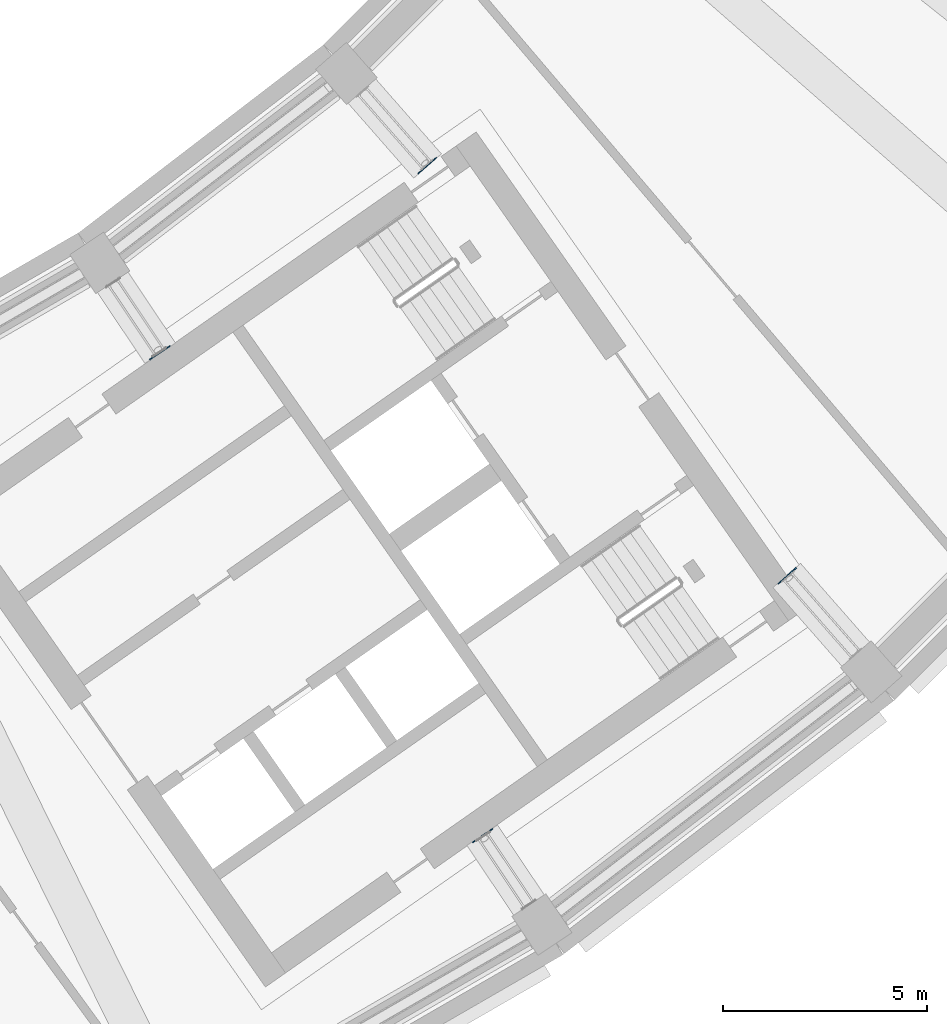
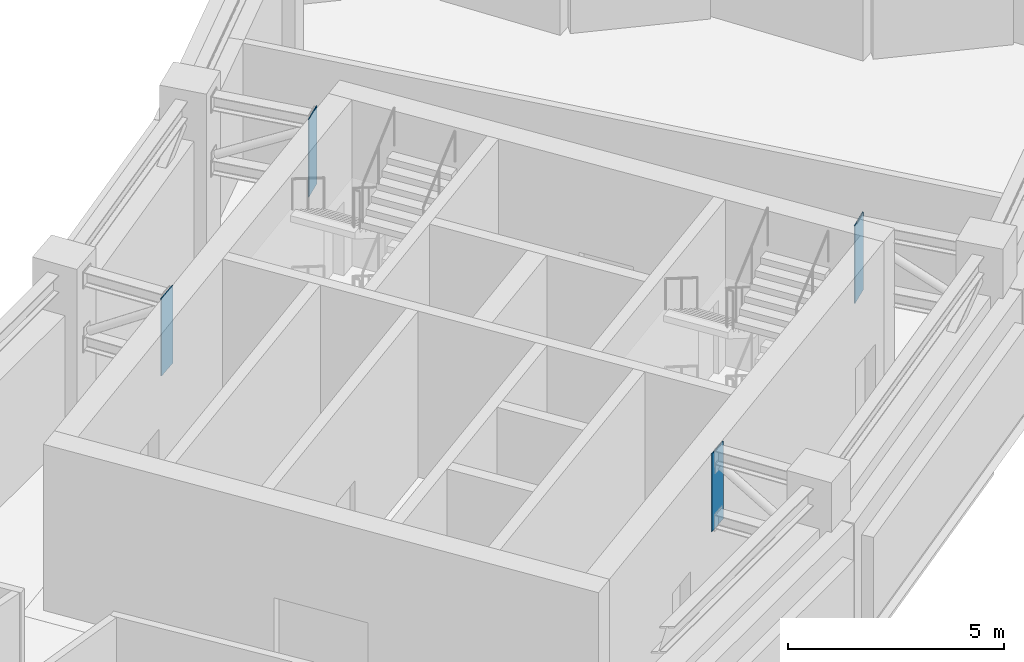
# One storey, part 10 of 24: 4 discrete accessories.
"""IFC4 building model written with IfcOpenShell, lengths in metres."""

from ifc_helpers import new_model, si_unit, direction, frame, origin, origin_2d, place, context, subcontext, project, spatial, rectangle, extrude, material, layer, layer_set, type_object, element, save


model = new_model("IFC4")

# Units and contexts
model_context = context("Model", 3, precision=1e-05, world=origin(), true_north=direction((0.0, 1.0)))
body_context = subcontext(model_context, "Body", "Model", "MODEL_VIEW")
ifc_project = project(units=[si_unit("LENGTHUNIT", "METRE"), si_unit("AREAUNIT", "SQUARE_METRE"), si_unit("VOLUMEUNIT", "CUBIC_METRE"), si_unit("PLANEANGLEUNIT", "RADIAN"), si_unit("MASSUNIT", "GRAM", prefix="KILO")], contexts=[model_context])

# Site, building, storey
site_placement = place(None, origin())
site = spatial("IfcSite", under=ifc_project, at=site_placement, CompositionType="ELEMENT")
building_placement = place(site_placement, origin())
building = spatial("IfcBuilding", under=site, at=building_placement, Name="Qamariyya Broadcast Tower", CompositionType="ELEMENT")
storey_placement = place(building_placement, frame((0.0, 0.0, 253.10009765625)))
storey = spatial("IfcBuildingStorey", under=building, at=storey_placement, Name="L61", CompositionType="ELEMENT", Elevation=253.10009765625)

# Discrete accessories
ifc_material = material(Name="Steel S355", Category="steel")
ifc_layer = layer(ifc_material, 0.02490234375)
ifc_layer_set = layer_set([ifc_layer], Name="Cast-in plate 25 Steel S355")
discrete_accessory_type = type_object("IfcDiscreteAccessoryType", Name="Cast-in plate 25 Steel S355", PredefinedType="ANCHORPLATE", material=ifc_layer_set)
for number, where, z_axis, x_axis, name in (
    (1, (33.83544921875, -50.63818359375, 2.5), (0.0, 0.0, 1.0), (-0.831469612303, -0.55557023302, 0.0), "Cast-in plate CP1 L61 R15"),
    (2, (41.740234375, -62.468505859375, 2.5), (0.0, 0.0, 1.0), (-0.831469612303, -0.55557023302, 0.0), "Cast-in plate CP1 L61 R15"),
    (3, (40.385986328125, -46.051513671875, 2.5), (0.0, 0.0, 1.0), (-0.751839807479, -0.6593458151, 0.0), "Cast-in plate CP1 L61 R16"),
    (4, (49.20263671875, -56.10498046875, 2.5), (0.0, 0.0, 1.0), (-0.751839807479, -0.6593458151, 0.0), "Cast-in plate CP1 L61 R16"),
):
    element("IfcDiscreteAccessory", number, at=place(storey_placement, frame(where, z_axis=z_axis, x_axis=x_axis)), inside=storey, type_object=discrete_accessory_type, Name=name, PredefinedType="ANCHORPLATE", context=body_context, shape_type="SweptSolid", body=[
        extrude(rectangle(XDim=0.60009765625, YDim=0.02490234375, at=origin_2d()), origin(), (0.0, 0.0, 1.0), 2.199951171875),
    ])

save(model, "model.ifc")
